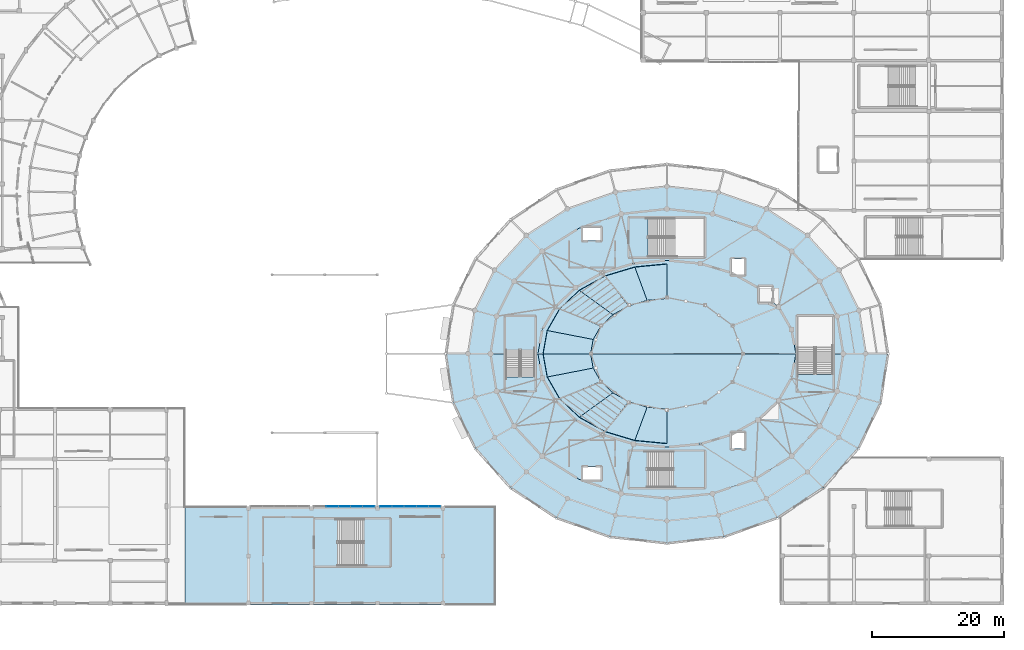
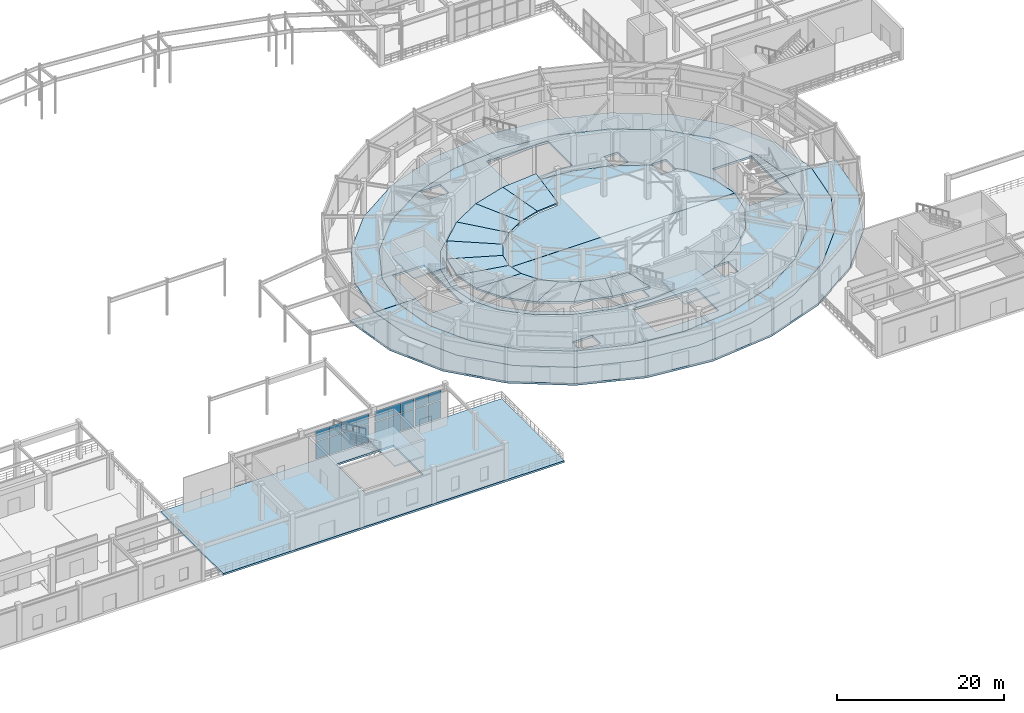
# One storey, part 42 of 93: 23 slabs, 18 plates, 5 elements without a shape of their own.
"""IFC4 building model written with IfcOpenShell, lengths in metres."""

from ifc_helpers import new_model, si_unit, direction, frame, origin, origin_2d, place, context, subcontext, project, spatial, polyline, rectangle, outline, extrude, material, layer, layer_set, type_object, element, aggregate, save


model = new_model("IFC4")

# Units and contexts
model_context = context("Model", 3, precision=1e-05, world=origin(), true_north=direction((0.0, 1.0)))
body_context = subcontext(model_context, "Body", "Model", "MODEL_VIEW")
ifc_project = project(units=[si_unit("LENGTHUNIT", "METRE"), si_unit("AREAUNIT", "SQUARE_METRE"), si_unit("VOLUMEUNIT", "CUBIC_METRE"), si_unit("PLANEANGLEUNIT", "RADIAN"), si_unit("MASSUNIT", "GRAM", prefix="KILO")], contexts=[model_context])

# Site, building, storey
site_placement = place(None, origin())
site = spatial("IfcSite", under=ifc_project, at=site_placement, CompositionType="ELEMENT")
building_placement = place(site_placement, origin())
building = spatial("IfcBuilding", under=site, at=building_placement, Name="Cinderbank Siding Concert Hall", CompositionType="ELEMENT")
storey_placement = place(building_placement, origin())
storey = spatial("IfcBuildingStorey", under=building, at=storey_placement, Name="L01", CompositionType="ELEMENT", Elevation=0.0)

# Curtain wall, plates
ifc_material_1 = material(Name="Anodised aluminium alloy 6063-T6", Category="aluminium")
curtain_wall_type = type_object("IfcCurtainWallType", Name="CW-16 Unitised Acoustic Curtain Wall 9200x3800", PredefinedType="NOTDEFINED", material=ifc_material_1)
curtain_wall_1_placement = place(storey_placement, origin())
curtain_wall_1 = element("IfcCurtainWall", 1, at=curtain_wall_1_placement, inside=storey, type_object=curtain_wall_type, Name="L01 Curtain Wall CW-16 #139", PredefinedType="NOTDEFINED")
ifc_material_2 = material(Name="Double-glazed laminated acoustic glass", Category="glass")
ifc_layer_1 = layer(ifc_material_2, 0.031982421875)
ifc_layer_set_1 = layer_set([ifc_layer_1], Name="Double-glazed laminated acoustic glass")
plate_type_1 = type_object("IfcPlateType", Name="CP-04 Glazed Curtain Panel 1400x2000", PredefinedType="CURTAIN_PANEL", material=ifc_layer_set_1)
plate_1_placement = place(storey_placement, frame((71.14599609375, 20.800048828125, 0.1201171875), z_axis=(0.0, 0.0, 1.0), x_axis=(1.0, 0.0, 0.0)))
plate_1 = element("IfcPlate", 2, at=plate_1_placement, type_object=plate_type_1, Name="CW-L01-139 Glazed Panel 1-0", PredefinedType="CURTAIN_PANEL", context=body_context, shape_type="SweptSolid", body=[
    extrude(rectangle(XDim=1.75390625, YDim=0.035888671875, at=origin_2d()), origin(), (0.0, 0.0, 1.0), 2.548095703125),
])
plate_2_placement = place(storey_placement, frame((71.14599609375, 20.800048828125, 2.7880859375), z_axis=(0.0, 0.0, 1.0), x_axis=(1.0, 0.0, 0.0)))
plate_2 = element("IfcPlate", 3, at=plate_2_placement, type_object=plate_type_1, Name="CW-L01-139 Glazed Panel 1-1", PredefinedType="CURTAIN_PANEL", context=body_context, shape_type="SweptSolid", body=[
    extrude(rectangle(XDim=1.75390625, YDim=0.035888671875, at=origin_2d()), origin(), (0.0, 0.0, 1.0), 1.491943359375),
])
plate_3_placement = place(storey_placement, frame((73.0, 20.800048828125, 0.1201171875), z_axis=(0.0, 0.0, 1.0), x_axis=(1.0, 0.0, 0.0)))
plate_3 = element("IfcPlate", 4, at=plate_3_placement, type_object=plate_type_1, Name="CW-L01-139 Glazed Panel 2-0", PredefinedType="CURTAIN_PANEL", context=body_context, shape_type="SweptSolid", body=[
    extrude(rectangle(XDim=1.75390625, YDim=0.035888671875, at=origin_2d()), origin(), (0.0, 0.0, 1.0), 2.548095703125),
])
plate_4_placement = place(storey_placement, frame((73.0, 20.800048828125, 2.7880859375), z_axis=(0.0, 0.0, 1.0), x_axis=(1.0, 0.0, 0.0)))
plate_4 = element("IfcPlate", 5, at=plate_4_placement, type_object=plate_type_1, Name="CW-L01-139 Glazed Panel 2-1", PredefinedType="CURTAIN_PANEL", context=body_context, shape_type="SweptSolid", body=[
    extrude(rectangle(XDim=1.75390625, YDim=0.035888671875, at=origin_2d()), origin(), (0.0, 0.0, 1.0), 1.491943359375),
])
plate_5_placement = place(storey_placement, frame((74.85400390625, 20.800048828125, 0.1201171875), z_axis=(0.0, 0.0, 1.0), x_axis=(1.0, 0.0, 0.0)))
plate_5 = element("IfcPlate", 6, at=plate_5_placement, type_object=plate_type_1, Name="CW-L01-139 Glazed Panel 3-0", PredefinedType="CURTAIN_PANEL", context=body_context, shape_type="SweptSolid", body=[
    extrude(rectangle(XDim=1.75390625, YDim=0.035888671875, at=origin_2d()), origin(), (0.0, 0.0, 1.0), 2.548095703125),
])
plate_6_placement = place(storey_placement, frame((74.85400390625, 20.800048828125, 2.7880859375), z_axis=(0.0, 0.0, 1.0), x_axis=(1.0, 0.0, 0.0)))
plate_6 = element("IfcPlate", 7, at=plate_6_placement, type_object=plate_type_1, Name="CW-L01-139 Glazed Panel 3-1", PredefinedType="CURTAIN_PANEL", context=body_context, shape_type="SweptSolid", body=[
    extrude(rectangle(XDim=1.75390625, YDim=0.035888671875, at=origin_2d()), origin(), (0.0, 0.0, 1.0), 1.491943359375),
])
plate_7_placement = place(storey_placement, frame((76.7080078125, 20.800048828125, 0.1201171875), z_axis=(0.0, 0.0, 1.0), x_axis=(1.0, 0.0, 0.0)))
plate_7 = element("IfcPlate", 8, at=plate_7_placement, type_object=plate_type_1, Name="CW-L01-139 Glazed Panel 4-0", PredefinedType="CURTAIN_PANEL", context=body_context, shape_type="SweptSolid", body=[
    extrude(rectangle(XDim=1.75390625, YDim=0.035888671875, at=origin_2d()), origin(), (0.0, 0.0, 1.0), 2.548095703125),
])
plate_8_placement = place(storey_placement, frame((76.7080078125, 20.800048828125, 2.7880859375), z_axis=(0.0, 0.0, 1.0), x_axis=(1.0, 0.0, 0.0)))
plate_8 = element("IfcPlate", 9, at=plate_8_placement, type_object=plate_type_1, Name="CW-L01-139 Glazed Panel 4-1", PredefinedType="CURTAIN_PANEL", context=body_context, shape_type="SweptSolid", body=[
    extrude(rectangle(XDim=1.75390625, YDim=0.035888671875, at=origin_2d()), origin(), (0.0, 0.0, 1.0), 1.491943359375),
])
aggregate(curtain_wall_1, [plate_1, plate_2, plate_3, plate_4, plate_5, plate_6, plate_7, plate_8])

curtain_wall_2_placement = place(storey_placement, origin())
curtain_wall_2 = element("IfcCurtainWall", 10, at=curtain_wall_2_placement, inside=storey, type_object=curtain_wall_type, Name="L01 Curtain Wall CW-16 #140", PredefinedType="NOTDEFINED")
ifc_layer_2 = layer(ifc_material_2, 0.031982421875)
ifc_layer_set_2 = layer_set([ifc_layer_2], Name="Double-glazed laminated acoustic glass")
plate_type_2 = type_object("IfcPlateType", Name="CP-05 Glazed Curtain Panel 1200x1800", PredefinedType="CURTAIN_PANEL", material=ifc_layer_set_2)
plate_9_placement = place(storey_placement, frame((79.2919921875, 20.800048828125, 0.1201171875), z_axis=(0.0, 0.0, 1.0), x_axis=(1.0, 0.0, 0.0)))
plate_9 = element("IfcPlate", 11, at=plate_9_placement, type_object=plate_type_2, Name="CW-L01-140 Glazed Panel 0-0", PredefinedType="CURTAIN_PANEL", context=body_context, shape_type="SweptSolid", body=[
    extrude(rectangle(XDim=1.75390625, YDim=0.035888671875, at=origin_2d()), origin(), (0.0, 0.0, 1.0), 2.548095703125),
])
plate_10_placement = place(storey_placement, frame((79.2919921875, 20.800048828125, 2.7880859375), z_axis=(0.0, 0.0, 1.0), x_axis=(1.0, 0.0, 0.0)))
plate_10 = element("IfcPlate", 12, at=plate_10_placement, type_object=plate_type_2, Name="CW-L01-140 Glazed Panel 0-1", PredefinedType="CURTAIN_PANEL", context=body_context, shape_type="SweptSolid", body=[
    extrude(rectangle(XDim=1.75390625, YDim=0.035888671875, at=origin_2d()), origin(), (0.0, 0.0, 1.0), 1.491943359375),
])
plate_11_placement = place(storey_placement, frame((81.14599609375, 20.800048828125, 0.1201171875), z_axis=(0.0, 0.0, 1.0), x_axis=(1.0, 0.0, 0.0)))
plate_11 = element("IfcPlate", 13, at=plate_11_placement, type_object=plate_type_2, Name="CW-L01-140 Glazed Panel 1-0", PredefinedType="CURTAIN_PANEL", context=body_context, shape_type="SweptSolid", body=[
    extrude(rectangle(XDim=1.75390625, YDim=0.035888671875, at=origin_2d()), origin(), (0.0, 0.0, 1.0), 2.548095703125),
])
plate_12_placement = place(storey_placement, frame((81.14599609375, 20.800048828125, 2.7880859375), z_axis=(0.0, 0.0, 1.0), x_axis=(1.0, 0.0, 0.0)))
plate_12 = element("IfcPlate", 14, at=plate_12_placement, type_object=plate_type_2, Name="CW-L01-140 Glazed Panel 1-1", PredefinedType="CURTAIN_PANEL", context=body_context, shape_type="SweptSolid", body=[
    extrude(rectangle(XDim=1.75390625, YDim=0.035888671875, at=origin_2d()), origin(), (0.0, 0.0, 1.0), 1.491943359375),
])
plate_13_placement = place(storey_placement, frame((83.0, 20.800048828125, 0.1201171875), z_axis=(0.0, 0.0, 1.0), x_axis=(1.0, 0.0, 0.0)))
plate_13 = element("IfcPlate", 15, at=plate_13_placement, type_object=plate_type_2, Name="CW-L01-140 Glazed Panel 2-0", PredefinedType="CURTAIN_PANEL", context=body_context, shape_type="SweptSolid", body=[
    extrude(rectangle(XDim=1.75390625, YDim=0.035888671875, at=origin_2d()), origin(), (0.0, 0.0, 1.0), 2.548095703125),
])
plate_14_placement = place(storey_placement, frame((83.0, 20.800048828125, 2.7880859375), z_axis=(0.0, 0.0, 1.0), x_axis=(1.0, 0.0, 0.0)))
plate_14 = element("IfcPlate", 16, at=plate_14_placement, type_object=plate_type_2, Name="CW-L01-140 Glazed Panel 2-1", PredefinedType="CURTAIN_PANEL", context=body_context, shape_type="SweptSolid", body=[
    extrude(rectangle(XDim=1.75390625, YDim=0.035888671875, at=origin_2d()), origin(), (0.0, 0.0, 1.0), 1.491943359375),
])
plate_15_placement = place(storey_placement, frame((84.85400390625, 20.800048828125, 0.1201171875), z_axis=(0.0, 0.0, 1.0), x_axis=(1.0, 0.0, 0.0)))
plate_15 = element("IfcPlate", 17, at=plate_15_placement, type_object=plate_type_2, Name="CW-L01-140 Glazed Panel 3-0", PredefinedType="CURTAIN_PANEL", context=body_context, shape_type="SweptSolid", body=[
    extrude(rectangle(XDim=1.75390625, YDim=0.035888671875, at=origin_2d()), origin(), (0.0, 0.0, 1.0), 2.548095703125),
])
plate_16_placement = place(storey_placement, frame((84.85400390625, 20.800048828125, 2.7880859375), z_axis=(0.0, 0.0, 1.0), x_axis=(1.0, 0.0, 0.0)))
plate_16 = element("IfcPlate", 18, at=plate_16_placement, type_object=plate_type_2, Name="CW-L01-140 Glazed Panel 3-1", PredefinedType="CURTAIN_PANEL", context=body_context, shape_type="SweptSolid", body=[
    extrude(rectangle(XDim=1.75390625, YDim=0.035888671875, at=origin_2d()), origin(), (0.0, 0.0, 1.0), 1.491943359375),
])
plate_17_placement = place(storey_placement, frame((86.7080078125, 20.800048828125, 0.1201171875), z_axis=(0.0, 0.0, 1.0), x_axis=(1.0, 0.0, 0.0)))
plate_17 = element("IfcPlate", 19, at=plate_17_placement, type_object=plate_type_2, Name="CW-L01-140 Glazed Panel 4-0", PredefinedType="CURTAIN_PANEL", context=body_context, shape_type="SweptSolid", body=[
    extrude(rectangle(XDim=1.75390625, YDim=0.035888671875, at=origin_2d()), origin(), (0.0, 0.0, 1.0), 2.548095703125),
])
plate_18_placement = place(storey_placement, frame((86.7080078125, 20.800048828125, 2.7880859375), z_axis=(0.0, 0.0, 1.0), x_axis=(1.0, 0.0, 0.0)))
plate_18 = element("IfcPlate", 20, at=plate_18_placement, type_object=plate_type_2, Name="CW-L01-140 Glazed Panel 4-1", PredefinedType="CURTAIN_PANEL", context=body_context, shape_type="SweptSolid", body=[
    extrude(rectangle(XDim=1.75390625, YDim=0.035888671875, at=origin_2d()), origin(), (0.0, 0.0, 1.0), 1.491943359375),
])
aggregate(curtain_wall_2, [plate_9, plate_10, plate_11, plate_12, plate_13, plate_14, plate_15, plate_16, plate_17, plate_18])

# Stair, slab
ifc_material_3 = material(Name="Reinforced concrete AS 3600 N50 (50 MPa)", Category="concrete")
stair_type_1 = type_object("IfcStairType", Name="STR-A Dogleg Exit Stair 2650mm", PredefinedType="HALF_TURN_STAIR", material=ifc_material_3)
stair_1_placement = place(storey_placement, origin())
stair_1 = element("IfcStair", 21, at=stair_1_placement, inside=storey, type_object=stair_type_1, Name="L01 Fire-isolated Exit Stair ST-02", PredefinedType="HALF_TURN_STAIR")
ifc_layer_3 = layer(ifc_material_3, 0.199951171875)
ifc_layer_set_3 = layer_set([ifc_layer_3], Name="Reinforced concrete AS 3600 N50 (50 MPa)")
slab_type_1 = type_object("IfcSlabType", Name="LD-02 Slab 200mm", PredefinedType="LANDING", material=ifc_layer_set_3)
slab_1_placement = place(storey_placement, frame((0.0, 0.0, 2.5)))
slab_1 = element("IfcSlab", 22, at=slab_1_placement, type_object=slab_type_1, Name="ST-02 landing 1", PredefinedType="LANDING", context=body_context, shape_type="SweptSolid", body=[
    extrude(outline(polyline([(122.929931640625, 23.6201171875), (122.929931640625, 29.239990234375), (127.780029296875, 29.239990234375), (127.780029296875, 23.6201171875), (122.929931640625, 23.6201171875)])), origin(), (0.0, 0.0, 1.0), 0.199951171875),
])
aggregate(stair_1, [slab_1])

stair_type_2 = type_object("IfcStairType", Name="STR-D Dogleg Exit Stair 2100mm", PredefinedType="HALF_TURN_STAIR", material=ifc_material_3)
stair_2_placement = place(storey_placement, origin())
stair_2 = element("IfcStair", 23, at=stair_2_placement, inside=storey, type_object=stair_type_2, Name="L01 West Drum Exit Stair ST-04", PredefinedType="HALF_TURN_STAIR")
slab_2_placement = place(storey_placement, frame((0.0, 0.0, 2.5)))
slab_2 = element("IfcSlab", 24, at=slab_2_placement, type_object=slab_type_1, Name="ST-04 landing 1", PredefinedType="LANDING", context=body_context, shape_type="SweptSolid", body=[
    extrude(outline(polyline([(101.97998046875, 44.47998046875), (97.4599609375, 44.47998046875), (97.4599609375, 49.679931640625), (101.97998046875, 49.679931640625), (101.97998046875, 44.47998046875)])), origin(), (0.0, 0.0, 1.0), 0.199951171875),
])
aggregate(stair_2, [slab_2])

stair_type_3 = type_object("IfcStairType", Name="STR-F Dogleg Exit Stair 3450mm", PredefinedType="HALF_TURN_STAIR", material=ifc_material_3)
stair_3_placement = place(storey_placement, origin())
stair_3 = element("IfcStair", 25, at=stair_3_placement, inside=storey, type_object=stair_type_3, Name="L01 South Concourse Exit Stair ST-08", PredefinedType="HALF_TURN_STAIR")
slab_3_placement = place(storey_placement, frame((0.0, 0.0, 2.5)))
slab_3 = element("IfcSlab", 26, at=slab_3_placement, type_object=slab_type_1, Name="ST-08 landing 1", PredefinedType="LANDING", context=body_context, shape_type="SweptSolid", body=[
    extrude(outline(polyline([(75.929931640625, 11.719970703125), (75.929931640625, 18.93994140625), (79.97998046875, 18.93994140625), (79.97998046875, 11.719970703125), (75.929931640625, 11.719970703125)])), origin(), (0.0, 0.0, 1.0), 0.199951171875),
])
aggregate(stair_3, [slab_3])

# Slabs
ifc_layer_4 = layer(ifc_material_3, 0.320068359375)
ifc_layer_set_4 = layer_set([ifc_layer_4], Name="Reinforced concrete AS 3600 N50 (50 MPa)")
slab_type_2 = type_object("IfcSlabType", Name="SL-01 Slab 320mm", PredefinedType="FLOOR", material=ifc_layer_set_4)
slab_4_placement = place(storey_placement, frame((0.0, 0.0, -0.320068359375)))
element("IfcSlab", 27, at=slab_4_placement, inside=storey, type_object=slab_type_2, Name="L01 Main Concert Hall Stage & Stalls Slab North", PredefinedType="FLOOR", context=body_context, shape_type="SweptSolid", body=[
    extrude(outline(polyline([(108.140625, 54.041015625), (112.199951171875, 56.297607421875), (116.927001953125, 57.716064453125), (122.0, 58.199951171875), (127.072998046875, 57.716064453125), (131.800048828125, 56.297607421875), (131.820068359375, 55.969970703125), (132.389404296875, 55.969970703125), (135.859375, 54.041015625), (136.02001953125, 53.88916015625), (136.02001953125, 51.77001953125), (137.97998046875, 51.77001953125), (137.97998046875, 52.03857421875), (138.97412109375, 51.10009765625), (140.93212890625, 47.67529296875), (141.598876953125, 44.006103515625), (110.403076171875, 44.006103515625), (110.797119140625, 46.17431640625), (111.955810546875, 48.20068359375), (113.798828125, 49.94091796875), (116.20068359375, 51.276123046875), (118.998046875, 52.11572265625), (122.001953125, 52.40234375), (122.001953125, 57.62255859375), (117.13134765625, 57.157958984375), (112.5966796875, 55.796630859375), (108.70263671875, 53.63134765625), (105.715087890625, 50.8095703125), (103.83740234375, 47.523681640625), (103.19921875, 44.006103515625), (102.401123046875, 44.006103515625), (103.06787109375, 47.67529296875), (105.02587890625, 51.10009765625), (108.140625, 54.041015625)])), origin(), (0.0, 0.0, 1.0), 0.320068359375),
])
slab_5_placement = place(storey_placement, frame((0.0, 0.0, -0.320068359375)))
element("IfcSlab", 28, at=slab_5_placement, inside=storey, type_object=slab_type_2, Name="L01 Main Concert Hall Stage & Stalls Slab South", PredefinedType="FLOOR", context=body_context, shape_type="SweptSolid", body=[
    extrude(outline(polyline([(135.859375, 33.958984375), (132.389404296875, 32.030029296875), (131.820068359375, 32.030029296875), (131.800048828125, 31.702392578125), (127.072998046875, 30.283935546875), (122.0, 29.800048828125), (116.927001953125, 30.283935546875), (112.199951171875, 31.702392578125), (108.140625, 33.958984375), (105.02587890625, 36.89990234375), (103.06787109375, 40.32470703125), (102.401123046875, 43.993896484375), (103.19921875, 43.993896484375), (103.83740234375, 40.476318359375), (105.715087890625, 37.1904296875), (108.70263671875, 34.36865234375), (112.5966796875, 32.203369140625), (117.13134765625, 30.842041015625), (122.001953125, 30.37744140625), (122.001953125, 35.59765625), (118.998046875, 35.88427734375), (116.20068359375, 36.723876953125), (113.798828125, 38.05908203125), (111.955810546875, 39.79931640625), (110.797119140625, 41.82568359375), (110.403076171875, 43.993896484375), (141.598876953125, 43.993896484375), (140.93212890625, 40.32470703125), (138.97412109375, 36.89990234375), (135.859375, 33.958984375)])), origin(), (0.0, 0.0, 1.0), 0.320068359375),
])
slab_6_placement = place(storey_placement, frame((0.0, 0.0, -0.320068359375)))
element("IfcSlab", 29, at=slab_6_placement, inside=storey, type_object=slab_type_2, Name="L01 Inner Foyer Ring Slab North", PredefinedType="FLOOR", context=body_context, shape_type="SweptSolid", body=[
    extrude(outline(polyline([(92.8291015625, 50.573974609375), (95.845947265625, 56.699951171875), (100.6455078125, 61.96044921875), (106.89990234375, 65.9970703125), (114.18359375, 68.534423828125), (122.0, 69.39990234375), (129.81640625, 68.534423828125), (137.10009765625, 65.9970703125), (143.3544921875, 61.96044921875), (148.154052734375, 56.699951171875), (151.1708984375, 50.573974609375), (152.19921875, 44.006103515625), (148.799072265625, 44.006103515625), (147.88671875, 49.694091796875), (145.20947265625, 55.0), (140.950439453125, 59.556396484375), (135.39990234375, 63.052490234375), (128.936279296875, 65.25048828125), (122.0, 66.0), (115.063720703125, 65.25048828125), (108.60009765625, 63.052490234375), (103.049560546875, 59.556396484375), (98.79052734375, 55.0), (96.11328125, 49.694091796875), (95.200927734375, 44.006103515625), (91.80078125, 44.006103515625), (92.8291015625, 50.573974609375)])), origin(), (0.0, 0.0, 1.0), 0.320068359375),
])
slab_7_placement = place(storey_placement, frame((0.0, 0.0, -0.320068359375)))
element("IfcSlab", 30, at=slab_7_placement, inside=storey, type_object=slab_type_2, Name="L01 Inner Foyer Ring Slab South", PredefinedType="FLOOR", context=body_context, shape_type="SweptSolid", body=[
    extrude(outline(polyline([(148.154052734375, 31.300048828125), (143.3544921875, 26.03955078125), (137.10009765625, 22.0029296875), (129.81640625, 19.465576171875), (122.0, 18.60009765625), (114.18359375, 19.465576171875), (106.89990234375, 22.0029296875), (100.6455078125, 26.03955078125), (95.845947265625, 31.300048828125), (92.8291015625, 37.426025390625), (91.80078125, 43.993896484375), (95.200927734375, 43.993896484375), (96.11328125, 38.305908203125), (98.79052734375, 33.0), (103.049560546875, 28.443603515625), (108.60009765625, 24.947509765625), (115.063720703125, 22.74951171875), (122.0, 22.0), (128.936279296875, 22.74951171875), (135.39990234375, 24.947509765625), (140.950439453125, 28.443603515625), (145.20947265625, 33.0), (147.88671875, 38.305908203125), (148.799072265625, 43.993896484375), (152.19921875, 43.993896484375), (151.1708984375, 37.426025390625), (148.154052734375, 31.300048828125)])), origin(), (0.0, 0.0, 1.0), 0.320068359375),
])
ifc_layer_5 = layer(ifc_material_3, 0.280029296875)
ifc_layer_set_5 = layer_set([ifc_layer_5], Name="Reinforced concrete AS 3600 N50 (50 MPa)")
slab_type_3 = type_object("IfcSlabType", Name="SL-02 Slab 280mm", PredefinedType="FLOOR", material=ifc_layer_set_5)
slab_8_placement = place(storey_placement, frame((0.0, 0.0, -0.280029296875)))
element("IfcSlab", 31, at=slab_8_placement, inside=storey, type_object=slab_type_3, Name="L01 Outer Foyer Concourse Ring Slab South", PredefinedType="FLOOR", context=body_context, shape_type="SweptSolid", body=[
    extrude(outline(polyline([(151.098388671875, 29.60009765625), (145.7587890625, 23.63525390625), (138.800048828125, 19.05859375), (130.6962890625, 16.181396484375), (122.0, 15.199951171875), (113.3037109375, 16.181396484375), (105.199951171875, 19.05859375), (98.2412109375, 23.63525390625), (92.901611328125, 29.60009765625), (89.544921875, 36.5458984375), (88.40087890625, 43.993896484375), (91.80078125, 43.993896484375), (92.8291015625, 37.426025390625), (95.845947265625, 31.300048828125), (100.6455078125, 26.03955078125), (106.89990234375, 22.0029296875), (114.18359375, 19.465576171875), (122.0, 18.60009765625), (129.81640625, 19.465576171875), (137.10009765625, 22.0029296875), (143.3544921875, 26.03955078125), (148.154052734375, 31.300048828125), (151.1708984375, 37.426025390625), (152.19921875, 43.993896484375), (155.59912109375, 43.993896484375), (154.455078125, 36.5458984375), (151.098388671875, 29.60009765625)])), origin(), (0.0, 0.0, 1.0), 0.280029296875),
])
slab_9_placement = place(storey_placement, frame((0.0, 0.0, -0.280029296875)))
element("IfcSlab", 32, at=slab_9_placement, inside=storey, type_object=slab_type_3, Name="L01 SL Concourse Slab", PredefinedType="FLOOR", context=body_context, shape_type="SweptSolid", body=[
    extrude(outline(polyline([(96.0, 20.800048828125), (96.0, 5.800048828125), (48.800048828125, 5.800048828125), (48.800048828125, 20.800048828125), (96.0, 20.800048828125)]), holes=[polyline([(71.949951171875, 11.800048828125), (79.89990234375, 11.800048828125), (79.89990234375, 18.860107421875), (71.949951171875, 18.860107421875), (71.949951171875, 11.800048828125)])]), origin(), (0.0, 0.0, 1.0), 0.280029296875),
])
ifc_layer_6 = layer(ifc_material_3, 0.300048828125)
ifc_layer_set_6 = layer_set([ifc_layer_6], Name="Reinforced concrete AS 3600 N50 (50 MPa)")
slab_type_4 = type_object("IfcSlabType", Name="SL-05 Slab 300mm", PredefinedType="FLOOR", material=ifc_layer_set_6)
slab_10_placement = place(storey_placement, frame((0.0, 0.0, -0.300048828125)))
element("IfcSlab", 33, at=slab_10_placement, inside=storey, type_object=slab_type_4, Name="L01 Acoustic Isolation Gallery Ring North", PredefinedType="FLOOR", context=body_context, shape_type="SweptSolid", body=[
    extrude(outline(polyline([(122.0, 66.0), (128.936279296875, 65.25048828125), (135.39990234375, 63.052490234375), (140.950439453125, 59.556396484375), (145.20947265625, 55.0), (147.88671875, 49.694091796875), (148.799072265625, 44.006103515625), (147.219970703125, 44.006103515625), (147.219970703125, 49.719970703125), (141.820068359375, 49.719970703125), (141.820068359375, 44.006103515625), (141.598876953125, 44.006103515625), (140.93212890625, 47.67529296875), (138.97412109375, 51.10009765625), (137.97998046875, 52.03857421875), (137.97998046875, 54.22998046875), (136.02001953125, 54.22998046875), (136.02001953125, 53.88916015625), (135.859375, 54.041015625), (132.389404296875, 55.969970703125), (133.780029296875, 55.969970703125), (133.780029296875, 58.429931640625), (131.820068359375, 58.429931640625), (131.820068359375, 56.28662109375), (127.072998046875, 57.716064453125), (122.0, 58.199951171875), (116.927001953125, 57.716064453125), (112.199951171875, 56.297607421875), (108.140625, 54.041015625), (105.02587890625, 51.10009765625), (103.06787109375, 47.67529296875), (102.401123046875, 44.006103515625), (101.919921875, 44.006103515625), (101.919921875, 49.6201171875), (97.52001953125, 49.6201171875), (97.52001953125, 44.006103515625), (95.200927734375, 44.006103515625), (96.11328125, 49.694091796875), (98.79052734375, 55.0), (103.049560546875, 59.556396484375), (108.60009765625, 63.052490234375), (115.063720703125, 65.25048828125), (122.0, 66.0)]), holes=[polyline([(119.14990234375, 58.75), (127.699951171875, 58.75), (127.699951171875, 64.610107421875), (119.14990234375, 64.610107421875), (119.14990234375, 58.75)]), polyline([(111.97998046875, 61.219970703125), (111.97998046875, 63.179931640625), (109.219970703125, 63.179931640625), (109.219970703125, 61.219970703125), (111.97998046875, 61.219970703125)])]), origin(), (0.0, 0.0, 1.0), 0.300048828125),
])
slab_11_placement = place(storey_placement, frame((0.0, 0.0, -0.300048828125)))
element("IfcSlab", 34, at=slab_11_placement, inside=storey, type_object=slab_type_4, Name="L01 Acoustic Isolation Gallery Ring South", PredefinedType="FLOOR", context=body_context, shape_type="SweptSolid", body=[
    extrude(outline(polyline([(122.0, 22.0), (115.063720703125, 22.74951171875), (108.60009765625, 24.947509765625), (103.049560546875, 28.443603515625), (98.79052734375, 33.0), (96.11328125, 38.305908203125), (95.200927734375, 43.993896484375), (97.52001953125, 43.993896484375), (97.52001953125, 40.47998046875), (101.919921875, 40.47998046875), (101.919921875, 43.993896484375), (102.401123046875, 43.993896484375), (103.06787109375, 40.32470703125), (105.02587890625, 36.89990234375), (108.140625, 33.958984375), (112.199951171875, 31.702392578125), (116.927001953125, 30.283935546875), (122.0, 29.800048828125), (127.072998046875, 30.283935546875), (131.820068359375, 31.71337890625), (131.820068359375, 29.570068359375), (133.780029296875, 29.570068359375), (133.780029296875, 32.030029296875), (132.389404296875, 32.030029296875), (135.859375, 33.958984375), (138.97412109375, 36.89990234375), (140.93212890625, 40.32470703125), (141.598876953125, 43.993896484375), (141.820068359375, 43.993896484375), (141.820068359375, 40.8798828125), (147.219970703125, 40.8798828125), (147.219970703125, 43.993896484375), (148.799072265625, 43.993896484375), (147.88671875, 38.305908203125), (145.20947265625, 33.0), (140.950439453125, 28.443603515625), (135.39990234375, 24.947509765625), (128.936279296875, 22.74951171875), (122.0, 22.0)]), holes=[polyline([(118.949951171875, 23.699951171875), (127.699951171875, 23.699951171875), (127.699951171875, 29.159912109375), (118.949951171875, 29.159912109375), (118.949951171875, 23.699951171875)]), polyline([(111.97998046875, 24.820068359375), (111.97998046875, 26.780029296875), (109.219970703125, 26.780029296875), (109.219970703125, 24.820068359375), (111.97998046875, 24.820068359375)])]), origin(), (0.0, 0.0, 1.0), 0.300048828125),
])
ifc_material_4 = material(Name="Precast concrete AS 3600 N50 (50 MPa)", Category="concrete")
ifc_layer_7 = layer(ifc_material_4, 0.25)
ifc_layer_set_7 = layer_set([ifc_layer_7], Name="Precast concrete AS 3600 N50 (50 MPa)")
slab_type_5 = type_object("IfcSlabType", Name="ST-TIER1 Slab 250mm", PredefinedType="USERDEFINED", material=ifc_layer_set_7)
slab_12_placement = place(storey_placement, frame((122.0, 52.404052734375, 0.35009765625), z_axis=(0.019675480589, -0.206272515599, 0.978296746786), x_axis=(-0.99548128508, -0.094957943607, -6.55427e-07)))
element("IfcSlab", 35, at=slab_12_placement, inside=storey, type_object=slab_type_5, Name="Stand Main Concert Hall Stalls Tier Bay 07", ObjectType="SEATING TIER", PredefinedType="USERDEFINED", context=body_context, shape_type="SweptSolid", body=[
    extrude(outline(polyline([(0.0, 0.0), (3.0158249586146915, 5.551115123125783e-17), (4.392476241853791, -5.307962513012028), (-0.4953306581586707, -5.307937512833662), (0.0, 0.0)])), origin(), (0.0, 0.0, -1.0), 0.25),
])
slab_13_placement = place(storey_placement, frame((118.997802734375, 52.11767578125, 0.35009765625), z_axis=(0.057756873005, -0.192471638934, 0.979601353524), x_axis=(-0.957803357257, -0.287424301036, -1.32648e-06)))
element("IfcSlab", 36, at=slab_13_placement, inside=storey, type_object=slab_type_5, Name="Stand Main Concert Hall Stalls Tier Bay 08", ObjectType="SEATING TIER", PredefinedType="USERDEFINED", context=body_context, shape_type="SweptSolid", body=[
    extrude(outline(polyline([(0.0, 0.0), (2.9211129505431144, 3.3306690738754696e-16), (5.0706015395549535, -5.473283658916384), (0.3366807434990257, -5.473233127880651), (0.0, 0.0)])), origin(), (0.0, 0.0, -1.0), 0.25),
])
slab_14_placement = place(storey_placement, frame((116.199951171875, 51.278076171875, 0.35009765625), z_axis=(0.0920919019, -0.165663927044, 0.981872977977), x_axis=(-0.874031530471, -0.485869204358, 2.29702e-07)))
element("IfcSlab", 37, at=slab_14_placement, inside=storey, type_object=slab_type_5, Name="Stand Main Concert Hall Stalls Tier Bay 09", ObjectType="SEATING TIER", PredefinedType="USERDEFINED", context=body_context, shape_type="SweptSolid", body=[
    extrude(outline(polyline([(0.0, 0.0), (2.748577833903133, 2.220446049250313e-16), (5.406425156121683, -5.802741413893296), (0.9514336411532222, -5.8027501438326965), (0.0, 0.0)])), origin(), (0.0, 0.0, -1.0), 0.25),
])
slab_15_placement = place(storey_placement, frame((113.797607421875, 49.942626953125, 0.35009765625), z_axis=(0.120343171298, -0.127454007367, 0.98451663121), x_axis=(-0.727085662865, -0.686546749205, -3.392484e-06)))
element("IfcSlab", 38, at=slab_15_placement, inside=storey, type_object=slab_type_5, Name="Stand Main Concert Hall Stalls Tier Bay 10", ObjectType="SEATING TIER", PredefinedType="USERDEFINED", context=body_context, shape_type="SweptSolid", body=[
    extrude(outline(polyline([(0.0, 0.0), (2.535474160676003, 0.0), (5.278317685561552, -6.274538920946576), (1.1695021589991785, -6.274410331238869), (0.0, 0.0)])), origin(), (0.0, 0.0, -1.0), 0.25),
])
slab_16_placement = place(storey_placement, frame((111.9541015625, 48.201904296875, 0.35009765625), z_axis=(0.140470187833, -0.080306492621, 0.986822675851), x_axis=(-0.496297076507, -0.868152758355, -3.404386e-06)))
element("IfcSlab", 39, at=slab_16_placement, inside=storey, type_object=slab_type_5, Name="Stand Main Concert Hall Stalls Tier Bay 11", ObjectType="SEATING TIER", PredefinedType="USERDEFINED", context=body_context, shape_type="SweptSolid", body=[
    extrude(outline(polyline([(0.0, 0.0), (2.3346753234774456, 0.0), (4.614244348866245, -6.797479109632111), (0.8300947087318973, -6.79735036959452), (0.0, 0.0)])), origin(), (0.0, 0.0, -1.0), 0.25),
])
slab_17_placement = place(storey_placement, frame((110.79541015625, 46.175048828125, 0.35009765625), z_axis=(0.150946902708, -0.027437838577, 0.988161018042), x_axis=(-0.178903369825, -0.983866649586, 9.851883e-06)))
element("IfcSlab", 40, at=slab_17_placement, inside=storey, type_object=slab_type_5, Name="Stand Main Concert Hall Stalls Tier Bay 12", ObjectType="SEATING TIER", PredefinedType="USERDEFINED", context=body_context, shape_type="SweptSolid", body=[
    extrude(outline(polyline([(0.0, 0.0), (2.2107156836623476, 0.0), (3.498822046513762, -7.1686649127095325), (-0.08406198566338582, -7.169036948540745), (0.0, 0.0)])), origin(), (0.0, 0.0, -1.0), 0.25),
])
slab_18_placement = place(storey_placement, frame((110.39990234375, 44.0, 0.35009765625), z_axis=(0.150946902708, 0.027437838577, 0.988161018042), x_axis=(0.178903369825, -0.983866649586, -9.851883e-06)))
element("IfcSlab", 41, at=slab_18_placement, inside=storey, type_object=slab_type_5, Name="Stand Main Concert Hall Stalls Tier Bay 13", ObjectType="SEATING TIER", PredefinedType="USERDEFINED", context=body_context, shape_type="SweptSolid", body=[
    extrude(outline(polyline([(0.0, 0.0), (2.2107156836623476, 0.0), (2.2947776693257333, -7.169036948540745), (-1.288106362851414, -7.1686649127095325), (0.0, 0.0)])), origin(), (0.0, 0.0, -1.0), 0.25),
])
slab_19_placement = place(storey_placement, frame((110.79541015625, 41.824951171875, 0.35009765625), z_axis=(0.140470187833, 0.080306492621, 0.986822675851), x_axis=(0.496297076507, -0.868152758355, 3.404386e-06)))
element("IfcSlab", 42, at=slab_19_placement, inside=storey, type_object=slab_type_5, Name="Stand Main Concert Hall Stalls Tier Bay 14", ObjectType="SEATING TIER", PredefinedType="USERDEFINED", context=body_context, shape_type="SweptSolid", body=[
    extrude(outline(polyline([(0.0, 0.0), (2.3346753234774456, 0.0), (1.5045806147455478, -6.797350369594521), (-2.2795690253888004, -6.7974791096321105), (0.0, 0.0)])), origin(), (0.0, 0.0, -1.0), 0.25),
])
slab_20_placement = place(storey_placement, frame((111.9541015625, 39.798095703125, 0.35009765625), z_axis=(0.120343171298, 0.127454007367, 0.98451663121), x_axis=(0.727085662865, -0.686546749205, 3.392484e-06)))
element("IfcSlab", 43, at=slab_20_placement, inside=storey, type_object=slab_type_5, Name="Stand Main Concert Hall Stalls Tier Bay 15", ObjectType="SEATING TIER", PredefinedType="USERDEFINED", context=body_context, shape_type="SweptSolid", body=[
    extrude(outline(polyline([(0.0, 0.0), (2.535474160676003, 0.0), (1.3659720016768249, -6.274410331238869), (-2.742843524885549, -6.274538920946576), (0.0, 0.0)])), origin(), (0.0, 0.0, -1.0), 0.25),
])
slab_21_placement = place(storey_placement, frame((113.797607421875, 38.057373046875, 0.35009765625), z_axis=(0.0920919019, 0.165663927044, 0.981872977977), x_axis=(0.874031530471, -0.485869204358, -2.29702e-07)))
element("IfcSlab", 44, at=slab_21_placement, inside=storey, type_object=slab_type_5, Name="Stand Main Concert Hall Stalls Tier Bay 16", ObjectType="SEATING TIER", PredefinedType="USERDEFINED", context=body_context, shape_type="SweptSolid", body=[
    extrude(outline(polyline([(0.0, 0.0), (2.748577833903133, -2.220446049250313e-16), (1.7971441927499103, -5.8027501438326965), (-2.6578473222185512, -5.802741413893296), (0.0, 0.0)])), origin(), (0.0, 0.0, -1.0), 0.25),
])
slab_22_placement = place(storey_placement, frame((116.199951171875, 36.721923828125, 0.35009765625), z_axis=(0.057756873005, 0.192471638934, 0.979601353524), x_axis=(0.957803357257, -0.287424301036, 1.32648e-06)))
element("IfcSlab", 45, at=slab_22_placement, inside=storey, type_object=slab_type_5, Name="Stand Main Concert Hall Stalls Tier Bay 17", ObjectType="SEATING TIER", PredefinedType="USERDEFINED", context=body_context, shape_type="SweptSolid", body=[
    extrude(outline(polyline([(0.0, 0.0), (2.9211129505431144, -3.3306690738754696e-16), (2.584432207044089, -5.473233127880651), (-2.1494885890118383, -5.473283658916384), (0.0, 0.0)])), origin(), (0.0, 0.0, -1.0), 0.25),
])
slab_23_placement = place(storey_placement, frame((118.997802734375, 35.88232421875, 0.35009765625), z_axis=(0.019675480589, 0.206272515599, 0.978296746786), x_axis=(0.99548128508, -0.094957943607, 6.55427e-07)))
element("IfcSlab", 46, at=slab_23_placement, inside=storey, type_object=slab_type_5, Name="Stand Main Concert Hall Stalls Tier Bay 18", ObjectType="SEATING TIER", PredefinedType="USERDEFINED", context=body_context, shape_type="SweptSolid", body=[
    extrude(outline(polyline([(0.0, 0.0), (3.0158249586146915, -5.551115123125783e-17), (3.511155616773362, -5.307937512833662), (-1.3766512832390987, -5.307962513012028), (0.0, 0.0)])), origin(), (0.0, 0.0, -1.0), 0.25),
])

save(model, "model.ifc")
